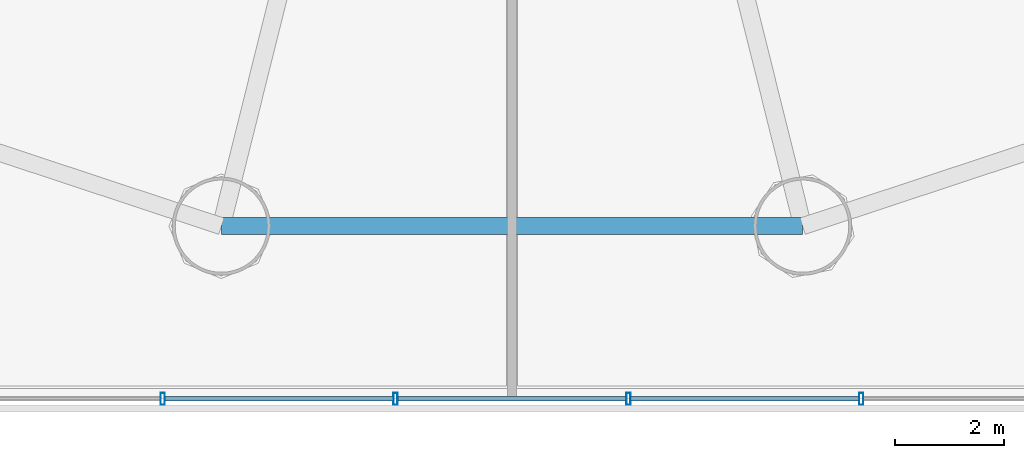
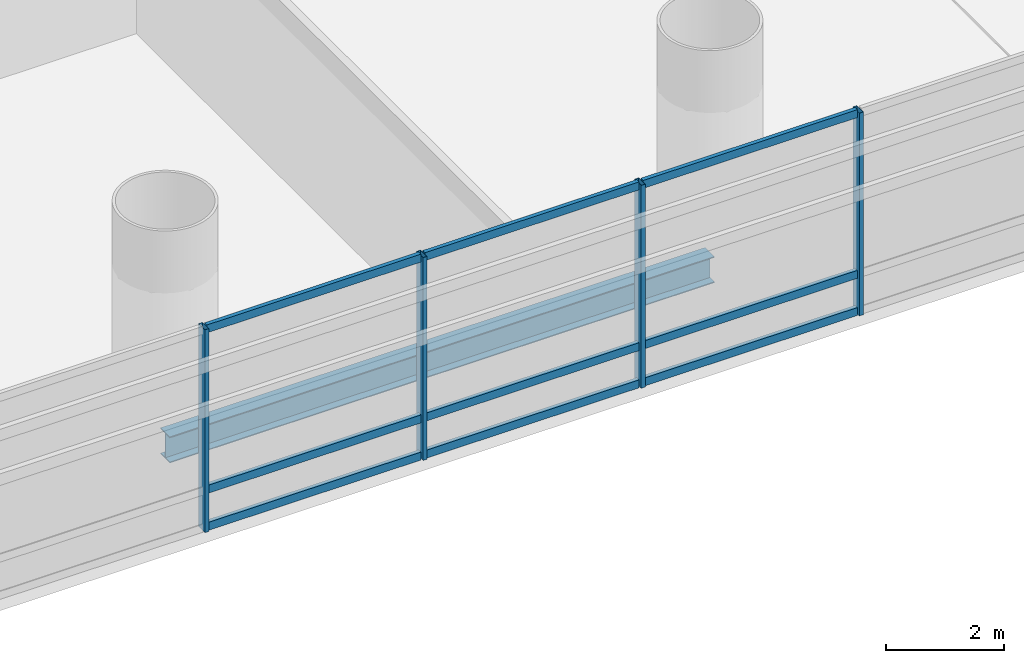
# One storey, part 6 of 36: 13 members, 1 beam, 1 element without a shape of its own.
"""IFC4 building model written with IfcOpenShell, lengths in metres."""

from ifc_helpers import new_model, si_unit, direction, frame, origin, origin_2d, place, context, subcontext, project, spatial, hollow_rectangle, i_section, extrude, source, transform, mapped, material, material_profile, profile_set, type_object, element, aggregate, save


model = new_model("IFC4")

# Units and contexts
model_context = context("Model", 3, precision=1e-05, world=origin(), true_north=direction((-0.2419218956, 0.970295726276)))
body_context = subcontext(model_context, "Body", "Model", "MODEL_VIEW")
ifc_project = project(units=[si_unit("LENGTHUNIT", "METRE"), si_unit("AREAUNIT", "SQUARE_METRE"), si_unit("VOLUMEUNIT", "CUBIC_METRE"), si_unit("PLANEANGLEUNIT", "RADIAN"), si_unit("MASSUNIT", "GRAM", prefix="KILO")], contexts=[model_context])

# Site, building, storey
site_placement = place(None, origin())
site = spatial("IfcSite", under=ifc_project, at=site_placement, CompositionType="ELEMENT")
building_placement = place(site_placement, origin())
building = spatial("IfcBuilding", under=site, at=building_placement, Name="Cobrevalo Terracotta Tower", CompositionType="ELEMENT")
storey_placement = place(building_placement, frame((0.0, 0.0, 9.89990234375)))
storey = spatial("IfcBuildingStorey", under=building, at=storey_placement, Name="L02", CompositionType="ELEMENT", Elevation=9.89990234375)

# Beam
ifc_material_1 = material(Name="Steel S355", Category="steel")
ifc_material_profile_1 = material_profile(ifc_material_1, i_section(OverallWidth=0.31201171875, OverallDepth=0.54296875, WebThickness=0.0126953125, FlangeThickness=0.020263671875, at=origin_2d()), Name="W 530x150")
ifc_profile_set_1 = profile_set([ifc_material_profile_1], Name="Steel S355")
beam_type = type_object("IfcBeamType", Name="Structural Spandrel W 530x150 (Steel S355)", PredefinedType="SPANDREL", material=ifc_profile_set_1)
beam_placement = place(storey_placement, frame((32.664306640625, 5.369873046875, -0.5712890625), z_axis=(1.0, 0.0, 0.0), x_axis=(0.0, 1.0, 0.0)))
element("IfcBeam", 1, at=beam_placement, inside=storey, type_object=beam_type, Name="L02 perimeter ring spandrel 12", PredefinedType="SPANDREL", context=body_context, shape_type="SweptSolid", body=[
    extrude(i_section(OverallWidth=0.31201171875, OverallDepth=0.54296875, WebThickness=0.0126953125, FlangeThickness=0.020263671875, at=origin_2d()), origin(), (0.0, 0.0, 1.0), 10.67138671875),
])

# Curtain wall, members
ifc_material_2 = material(Name="Anodized aluminium", Category="aluminium")
curtain_wall_type = type_object("IfcCurtainWallType", Name="Podium gallery & conservatory curtain wall CW-S2", PredefinedType="NOTDEFINED", material=ifc_material_2)
curtain_wall_placement = place(storey_placement, origin())
curtain_wall = element("IfcCurtainWall", 2, at=curtain_wall_placement, inside=storey, type_object=curtain_wall_type, Name="L02 curtain wall CW-POD-L02-S", PredefinedType="NOTDEFINED")
ifc_material_profile_2 = material_profile(ifc_material_2, hollow_rectangle(XDim=0.080078125, YDim=0.219970703125, WallThickness=0.0048828125, at=origin_2d()), Name="CWM 80x220")
ifc_profile_set_2 = profile_set([ifc_material_profile_2], Name="Anodized aluminium")
member_type_1 = type_object("IfcMemberType", Name="Storefront & atrium aluminium mullion 80x220", PredefinedType="MULLION", material=ifc_profile_set_2)
shared_shape_1 = source(origin(), body_context, "Body", "SweptSolid", [
    extrude(hollow_rectangle(XDim=0.080078125, YDim=0.219970703125, WallThickness=0.0048828125, at=origin_2d()), origin(), (0.0, 0.0, 1.0), 4.2001953125),
])
member_1_placement = place(storey_placement, frame((31.590087890625, 2.199951171875, 0.0), z_axis=(0.0, 0.0, 1.0), x_axis=(1.0, 0.0, 0.0)))
member_1 = element("IfcMember", 3, at=member_1_placement, type_object=member_type_1, Name="CW-POD-L02-S vertical mullion 07", PredefinedType="MULLION", context=body_context, shape_type="MappedRepresentation", body=[
    mapped(shared_shape_1, transform((0.0, 0.0, 0.0), scale=1.0)),
])
member_2_placement = place(storey_placement, frame((35.86328125, 2.199951171875, 0.0), z_axis=(0.0, 0.0, 1.0), x_axis=(1.0, 0.0, 0.0)))
member_2 = element("IfcMember", 4, at=member_2_placement, type_object=member_type_1, Name="CW-POD-L02-S vertical mullion 08", PredefinedType="MULLION", context=body_context, shape_type="MappedRepresentation", body=[
    mapped(shared_shape_1, transform((0.0, 0.0, 0.0), scale=1.0)),
])
member_3_placement = place(storey_placement, frame((40.13671875, 2.199951171875, 0.0), z_axis=(0.0, 0.0, 1.0), x_axis=(1.0, 0.0, 0.0)))
member_3 = element("IfcMember", 5, at=member_3_placement, type_object=member_type_1, Name="CW-POD-L02-S vertical mullion 09", PredefinedType="MULLION", context=body_context, shape_type="MappedRepresentation", body=[
    mapped(shared_shape_1, transform((0.0, 0.0, 0.0), scale=1.0)),
])
member_4_placement = place(storey_placement, frame((44.409912109375, 2.199951171875, 0.0), z_axis=(0.0, 0.0, 1.0), x_axis=(1.0, 0.0, 0.0)))
member_4 = element("IfcMember", 6, at=member_4_placement, type_object=member_type_1, Name="CW-POD-L02-S vertical mullion 10", PredefinedType="MULLION", context=body_context, shape_type="MappedRepresentation", body=[
    mapped(shared_shape_1, transform((0.0, 0.0, 0.0), scale=1.0)),
])
ifc_material_profile_3 = material_profile(ifc_material_2, hollow_rectangle(XDim=0.080078125, YDim=0.1650390625, WallThickness=0.00439453125, at=origin_2d()), Name="CWT 80x165")
ifc_profile_set_3 = profile_set([ifc_material_profile_3], Name="Anodized aluminium")
member_type_2 = type_object("IfcMemberType", Name="Storefront & atrium aluminium transom 80x165", PredefinedType="USERDEFINED", material=ifc_profile_set_3)
shared_shape_2 = source(origin(), body_context, "Body", "SweptSolid", [
    extrude(hollow_rectangle(XDim=0.080078125, YDim=0.1650390625, WallThickness=0.00439453125, at=origin_2d()), origin(), (0.0, 0.0, 1.0), 4.193359375),
])
member_5_placement = place(storey_placement, frame((31.6298828125, 2.199951171875, 0.050048828125), z_axis=(1.0, 0.0, 0.0), x_axis=(0.0, 1.0, 0.0)))
member_5 = element("IfcMember", 7, at=member_5_placement, type_object=member_type_2, Name="CW-POD-L02-S transom B07-T1", ObjectType="TRANSOM", PredefinedType="USERDEFINED", context=body_context, shape_type="MappedRepresentation", body=[
    mapped(shared_shape_2, transform((0.0, 0.0, 0.0), scale=1.0)),
])
member_6_placement = place(storey_placement, frame((31.6298828125, 2.199951171875, 0.820068359375), z_axis=(1.0, 0.0, 0.0), x_axis=(0.0, 1.0, 0.0)))
member_6 = element("IfcMember", 8, at=member_6_placement, type_object=member_type_2, Name="CW-POD-L02-S transom B07-T2", ObjectType="TRANSOM", PredefinedType="USERDEFINED", context=body_context, shape_type="MappedRepresentation", body=[
    mapped(shared_shape_2, transform((0.0, 0.0, 0.0), scale=1.0)),
])
member_7_placement = place(storey_placement, frame((31.6298828125, 2.199951171875, 4.150146484375), z_axis=(1.0, 0.0, 0.0), x_axis=(0.0, 1.0, 0.0)))
member_7 = element("IfcMember", 9, at=member_7_placement, type_object=member_type_2, Name="CW-POD-L02-S transom B07-T3", ObjectType="TRANSOM", PredefinedType="USERDEFINED", context=body_context, shape_type="MappedRepresentation", body=[
    mapped(shared_shape_2, transform((0.0, 0.0, 0.0), scale=1.0)),
])
member_8_placement = place(storey_placement, frame((35.9033203125, 2.199951171875, 0.050048828125), z_axis=(1.0, 0.0, 0.0), x_axis=(0.0, 1.0, 0.0)))
member_8 = element("IfcMember", 10, at=member_8_placement, type_object=member_type_2, Name="CW-POD-L02-S transom B08-T1", ObjectType="TRANSOM", PredefinedType="USERDEFINED", context=body_context, shape_type="MappedRepresentation", body=[
    mapped(shared_shape_2, transform((0.0, 0.0, 0.0), scale=1.0)),
])
member_9_placement = place(storey_placement, frame((35.9033203125, 2.199951171875, 0.820068359375), z_axis=(1.0, 0.0, 0.0), x_axis=(0.0, 1.0, 0.0)))
member_9 = element("IfcMember", 11, at=member_9_placement, type_object=member_type_2, Name="CW-POD-L02-S transom B08-T2", ObjectType="TRANSOM", PredefinedType="USERDEFINED", context=body_context, shape_type="MappedRepresentation", body=[
    mapped(shared_shape_2, transform((0.0, 0.0, 0.0), scale=1.0)),
])
member_10_placement = place(storey_placement, frame((35.9033203125, 2.199951171875, 4.150146484375), z_axis=(1.0, 0.0, 0.0), x_axis=(0.0, 1.0, 0.0)))
member_10 = element("IfcMember", 12, at=member_10_placement, type_object=member_type_2, Name="CW-POD-L02-S transom B08-T3", ObjectType="TRANSOM", PredefinedType="USERDEFINED", context=body_context, shape_type="MappedRepresentation", body=[
    mapped(shared_shape_2, transform((0.0, 0.0, 0.0), scale=1.0)),
])
member_11_placement = place(storey_placement, frame((40.1767578125, 2.199951171875, 0.050048828125), z_axis=(1.0, 0.0, 0.0), x_axis=(0.0, 1.0, 0.0)))
member_11 = element("IfcMember", 13, at=member_11_placement, type_object=member_type_2, Name="CW-POD-L02-S transom B09-T1", ObjectType="TRANSOM", PredefinedType="USERDEFINED", context=body_context, shape_type="MappedRepresentation", body=[
    mapped(shared_shape_2, transform((0.0, 0.0, 0.0), scale=1.0)),
])
member_12_placement = place(storey_placement, frame((40.1767578125, 2.199951171875, 0.820068359375), z_axis=(1.0, 0.0, 0.0), x_axis=(0.0, 1.0, 0.0)))
member_12 = element("IfcMember", 14, at=member_12_placement, type_object=member_type_2, Name="CW-POD-L02-S transom B09-T2", ObjectType="TRANSOM", PredefinedType="USERDEFINED", context=body_context, shape_type="MappedRepresentation", body=[
    mapped(shared_shape_2, transform((0.0, 0.0, 0.0), scale=1.0)),
])
member_13_placement = place(storey_placement, frame((40.1767578125, 2.199951171875, 4.150146484375), z_axis=(1.0, 0.0, 0.0), x_axis=(0.0, 1.0, 0.0)))
member_13 = element("IfcMember", 15, at=member_13_placement, type_object=member_type_2, Name="CW-POD-L02-S transom B09-T3", ObjectType="TRANSOM", PredefinedType="USERDEFINED", context=body_context, shape_type="MappedRepresentation", body=[
    mapped(shared_shape_2, transform((0.0, 0.0, 0.0), scale=1.0)),
])
aggregate(curtain_wall, [member_1, member_2, member_3, member_4, member_5, member_6, member_7, member_8, member_9, member_10, member_11, member_12, member_13])

save(model, "model.ifc")
